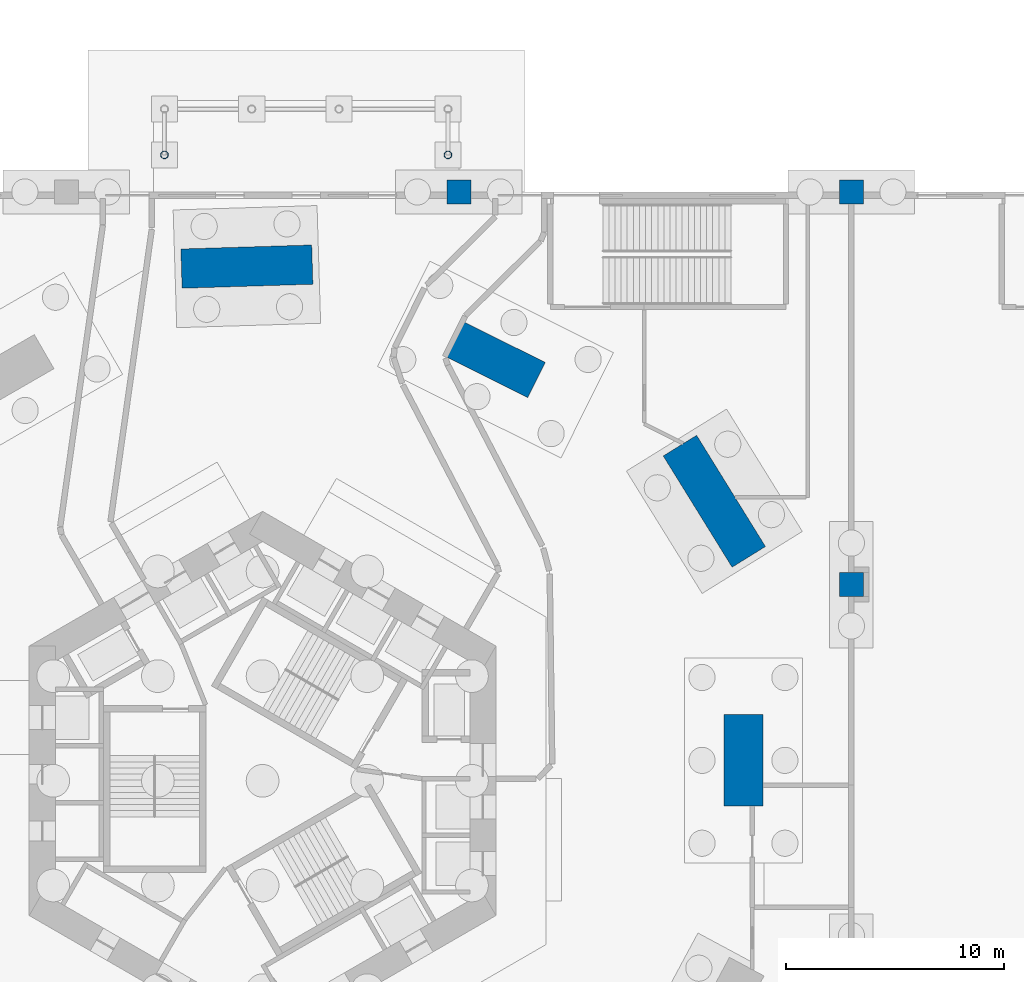
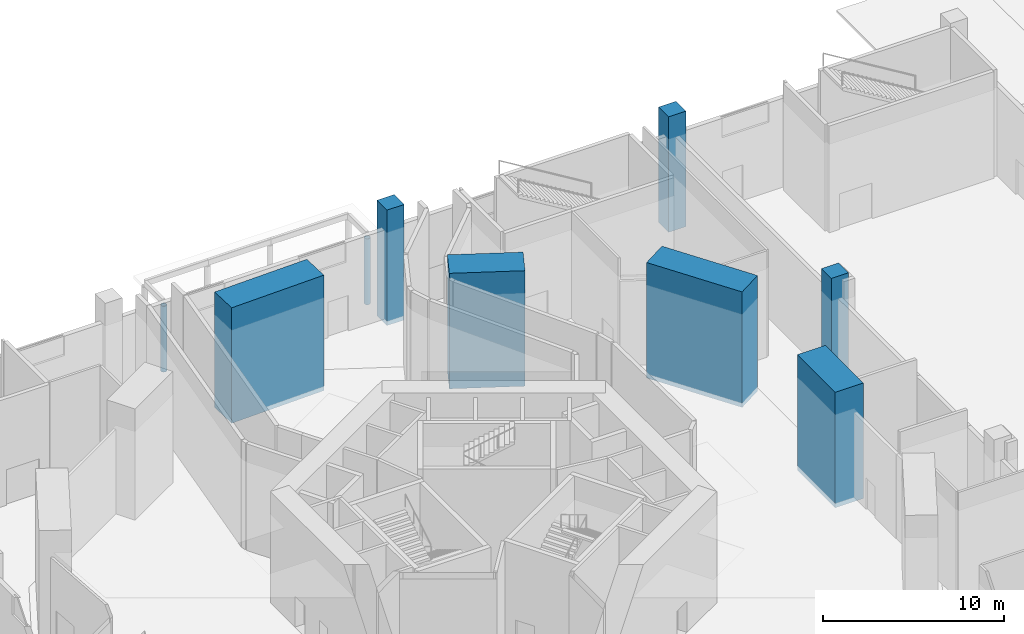
# One storey, part 2 of 16: 9 columns.
"""IFC4 building model written with IfcOpenShell, lengths in metres."""

from ifc_helpers import new_model, si_unit, direction, frame, origin, origin_2d, place, context, subcontext, project, spatial, rectangle, hollow_circle, extrude, material, material_profile, profile_set, type_object, element, save


model = new_model("IFC4")

# Units and contexts
model_context = context("Model", 3, precision=1e-05, world=origin(), true_north=direction((0.0, 1.0)))
body_context = subcontext(model_context, "Body", "Model", "MODEL_VIEW")
ifc_project = project(units=[si_unit("LENGTHUNIT", "METRE"), si_unit("AREAUNIT", "SQUARE_METRE"), si_unit("VOLUMEUNIT", "CUBIC_METRE"), si_unit("PLANEANGLEUNIT", "RADIAN"), si_unit("MASSUNIT", "GRAM", prefix="KILO")], contexts=[model_context])

# Site, building, storey
site_placement = place(None, origin())
site = spatial("IfcSite", under=ifc_project, at=site_placement, CompositionType="ELEMENT")
building_placement = place(site_placement, origin())
building = spatial("IfcBuilding", under=site, at=building_placement, Name="Vanh Sen Convention Tower", CompositionType="ELEMENT")
storey_placement = place(building_placement, origin())
storey = spatial("IfcBuildingStorey", under=building, at=storey_placement, Name="L00", CompositionType="ELEMENT", Elevation=0.0)

# Columns
ifc_material_1 = material(Name="Steel S355", Category="steel")
ifc_material_profile_1 = material_profile(ifc_material_1, hollow_circle(Radius=0.177734375, WallThickness=0.01611328125, at=origin_2d()), Name="CHS 355.6X16.0")
ifc_profile_set_1 = profile_set([ifc_material_profile_1], Name="Steel S355")
column_type_1 = type_object("IfcColumnType", Name="Canopy column CHS 355.6X16.0", PredefinedType="COLUMN", material=ifc_profile_set_1)
for number, where, z_axis, x_axis, name in (
    (1, (-4.5, 28.699951171875, -0.14990234375), (0.0, 0.0, 1.0), (1.0, 0.0, 0.0), "Canopy column 5"),
    (2, (8.5, 28.699951171875, -0.14990234375), (0.0, 0.0, 1.0), (1.0, 0.0, 0.0), "Canopy column 6"),
):
    element("IfcColumn", number, at=place(storey_placement, frame(where, z_axis=z_axis, x_axis=x_axis)), inside=storey, type_object=column_type_1, Name=name, PredefinedType="COLUMN", context=body_context, shape_type="SweptSolid", body=[
        extrude(hollow_circle(Radius=0.177734375, WallThickness=0.01611328125, at=origin_2d()), origin(), (0.0, 0.0, 1.0), 4.449951171875),
    ])
ifc_material_2 = material(Name="Concrete C80/95", Category="concrete")
ifc_material_profile_2 = material_profile(ifc_material_2, rectangle(XDim=4.199951171875, YDim=1.800048828125, at=origin_2d()), Name="RC 4200X1800")
ifc_profile_set_2 = profile_set([ifc_material_profile_2], Name="Concrete C80/95")
column_type_2 = type_object("IfcColumnType", Name="Mega column 4200 x 1800 C80/95", PredefinedType="COLUMN", material=ifc_profile_set_2)
for number, where, z_axis, x_axis, name in (
    (3, (22.050048828125, 0.937255859375, -0.300048828125), (0.0, 0.0, 1.0), (0.0, 1.0, 0.0), "Mega column 01 L00"),
    (4, (10.677490234375, 19.315185546875, -0.300048828125), (0.0, 0.0, 1.0), (-0.894935140363, 0.446196251154, 0.0), "Mega column 03 L00"),
):
    element("IfcColumn", number, at=place(storey_placement, frame(where, z_axis=z_axis, x_axis=x_axis)), inside=storey, type_object=column_type_2, Name=name, PredefinedType="COLUMN", context=body_context, shape_type="SweptSolid", body=[
        extrude(rectangle(XDim=4.199951171875, YDim=1.800048828125, at=origin_2d()), origin(), (0.0, 0.0, 1.0), 7.800048828125),
    ])
ifc_material_profile_3 = material_profile(ifc_material_2, rectangle(XDim=6.0, YDim=1.800048828125, at=origin_2d()), Name="RC 6000X1800")
ifc_profile_set_3 = profile_set([ifc_material_profile_3], Name="Concrete C80/95")
column_type_3 = type_object("IfcColumnType", Name="Mega column 6000 x 1800 C80/95", PredefinedType="COLUMN", material=ifc_profile_set_3)
for number, where, z_axis, x_axis, name in (
    (5, (20.71435546875, 12.818359375, -0.300048828125), (0.0, 0.0, 1.0), (-0.526210955359, 0.850354061823, 0.0), "Mega column 02 L00"),
    (6, (-0.72021484375, 23.5771484375, -0.300048828125), (0.0, 0.0, 1.0), (-0.999533644135, -0.030536768695, 0.0), "Mega column 04 L00"),
):
    element("IfcColumn", number, at=place(storey_placement, frame(where, z_axis=z_axis, x_axis=x_axis)), inside=storey, type_object=column_type_3, Name=name, PredefinedType="COLUMN", context=body_context, shape_type="SweptSolid", body=[
        extrude(rectangle(XDim=6.0, YDim=1.800048828125, at=origin_2d()), origin(), (0.0, 0.0, 1.0), 7.800048828125),
    ])
ifc_material_profile_4 = material_profile(ifc_material_2, rectangle(XDim=1.10009765625, YDim=1.10009765625, at=origin_2d()), Name="RC 1100X1100")
ifc_profile_set_4 = profile_set([ifc_material_profile_4], Name="Concrete C80/95")
column_type_4 = type_object("IfcColumnType", Name="Podium column 1100 x 1100 C80/95", PredefinedType="COLUMN", material=ifc_profile_set_4)
for number, where, z_axis, x_axis, name in (
    (7, (9.0, 27.0, -0.300048828125), (0.0, 0.0, 1.0), (1.0, 0.0, 0.0), "Podium column 08 L00"),
    (8, (27.0, 9.0, -0.300048828125), (0.0, 0.0, 1.0), (1.0, 0.0, 0.0), "Podium column 11 L00"),
    (9, (27.0, 27.0, -0.300048828125), (0.0, 0.0, 1.0), (1.0, 0.0, 0.0), "Podium column 12 L00"),
):
    element("IfcColumn", number, at=place(storey_placement, frame(where, z_axis=z_axis, x_axis=x_axis)), inside=storey, type_object=column_type_4, Name=name, PredefinedType="COLUMN", context=body_context, shape_type="SweptSolid", body=[
        extrude(rectangle(XDim=1.10009765625, YDim=1.10009765625, at=origin_2d()), origin(), (0.0, 0.0, 1.0), 7.800048828125),
    ])

save(model, "model.ifc")
